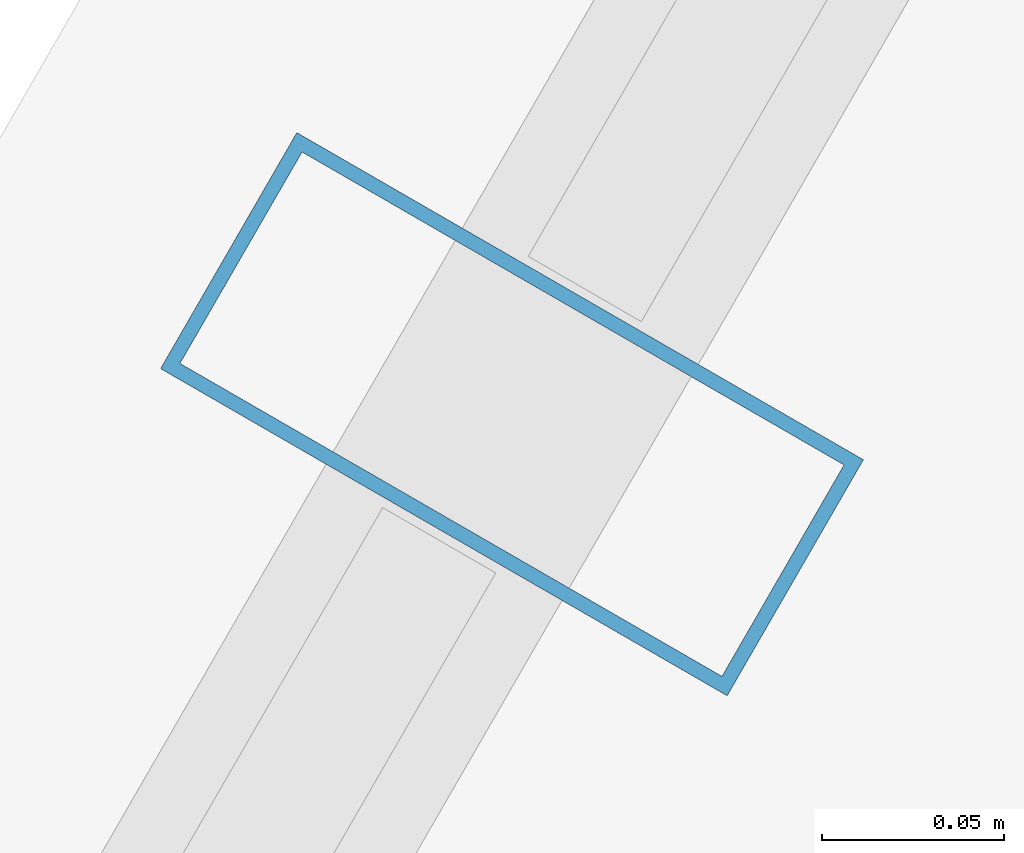
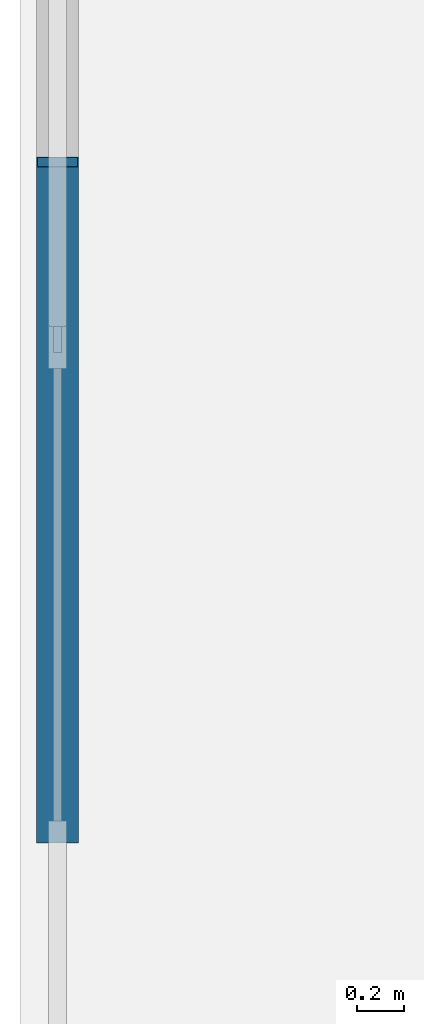
# One storey, part 17 of 35: 1 member, 1 element without a shape of its own.
"""IFC4 building model written with IfcOpenShell, lengths in metres."""

from ifc_helpers import new_model, si_unit, direction, frame, origin, origin_2d, place, context, subcontext, project, spatial, hollow_rectangle, extrude, material, layer, layer_set, material_profile, profile_set, type_object, element, aggregate, save


model = new_model("IFC4")

# Units and contexts
model_context = context("Model", 3, precision=1e-05, world=origin(), true_north=direction((0.0, 1.0)))
body_context = subcontext(model_context, "Body", "Model", "MODEL_VIEW")
ifc_project = project(units=[si_unit("LENGTHUNIT", "METRE"), si_unit("AREAUNIT", "SQUARE_METRE"), si_unit("VOLUMEUNIT", "CUBIC_METRE"), si_unit("PLANEANGLEUNIT", "RADIAN"), si_unit("MASSUNIT", "GRAM", prefix="KILO")], contexts=[model_context])

# Site, building, storey
site_placement = place(None, origin())
site = spatial("IfcSite", under=ifc_project, at=site_placement, CompositionType="ELEMENT")
building_placement = place(site_placement, origin())
building = spatial("IfcBuilding", under=site, at=building_placement, Name="Ndaravel Arena Tower", CompositionType="ELEMENT")
storey_placement = place(building_placement, frame((0.0, 0.0, 275.0)))
storey = spatial("IfcBuildingStorey", under=building, at=storey_placement, Name="L67", CompositionType="ELEMENT", Elevation=275.0)

# Curtain wall, member
ifc_material_1 = material(Name="Aluminium", Category="aluminium")
ifc_layer = layer(ifc_material_1, 0.179931640625)
ifc_layer_set = layer_set([ifc_layer], Name="Aluminium")
curtain_wall_type = type_object("IfcCurtainWallType", Name="CW-SYS-03", PredefinedType="NOTDEFINED", material=ifc_layer_set)
curtain_wall_placement = place(storey_placement, origin())
curtain_wall = element("IfcCurtainWall", 1, at=curtain_wall_placement, inside=storey, type_object=curtain_wall_type, Name="L67 Faceted Crystal Curtain Wall CW-L67-E05", PredefinedType="NOTDEFINED")
ifc_material_2 = material(Name="Aluminium", Category="aluminium")
ifc_material_profile = material_profile(ifc_material_2, hollow_rectangle(XDim=0.074951171875, YDim=0.179931640625, WallThickness=0.00390625, at=origin_2d()), Name="CW MULLION 75x180x4")
ifc_profile_set = profile_set([ifc_material_profile], Name="Aluminium")
member_type = type_object("IfcMemberType", Name="MEM-CW-MUL180", PredefinedType="MULLION", material=ifc_profile_set)
member_placement = place(storey_placement, frame((35.019775390625, 36.455810546875, 0.0), z_axis=(0.0, 0.0, 1.0), x_axis=(-0.5, -0.866025403784, 0.0)))
member = element("IfcMember", 2, at=member_placement, type_object=member_type, Name="CW-L67-E05 Mullion 02", PredefinedType="MULLION", context=body_context, shape_type="SweptSolid", body=[
    extrude(hollow_rectangle(XDim=0.074951171875, YDim=0.179931640625, WallThickness=0.00390625, at=origin_2d()), origin(), (0.0, 0.0, 1.0), 3.52001953125),
])
aggregate(curtain_wall, [member])

save(model, "model.ifc")
